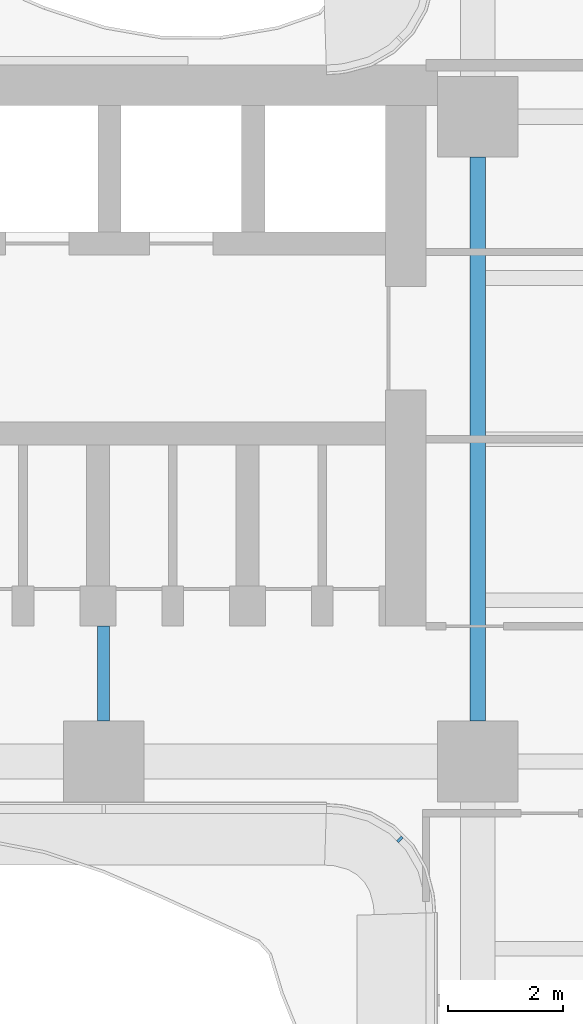
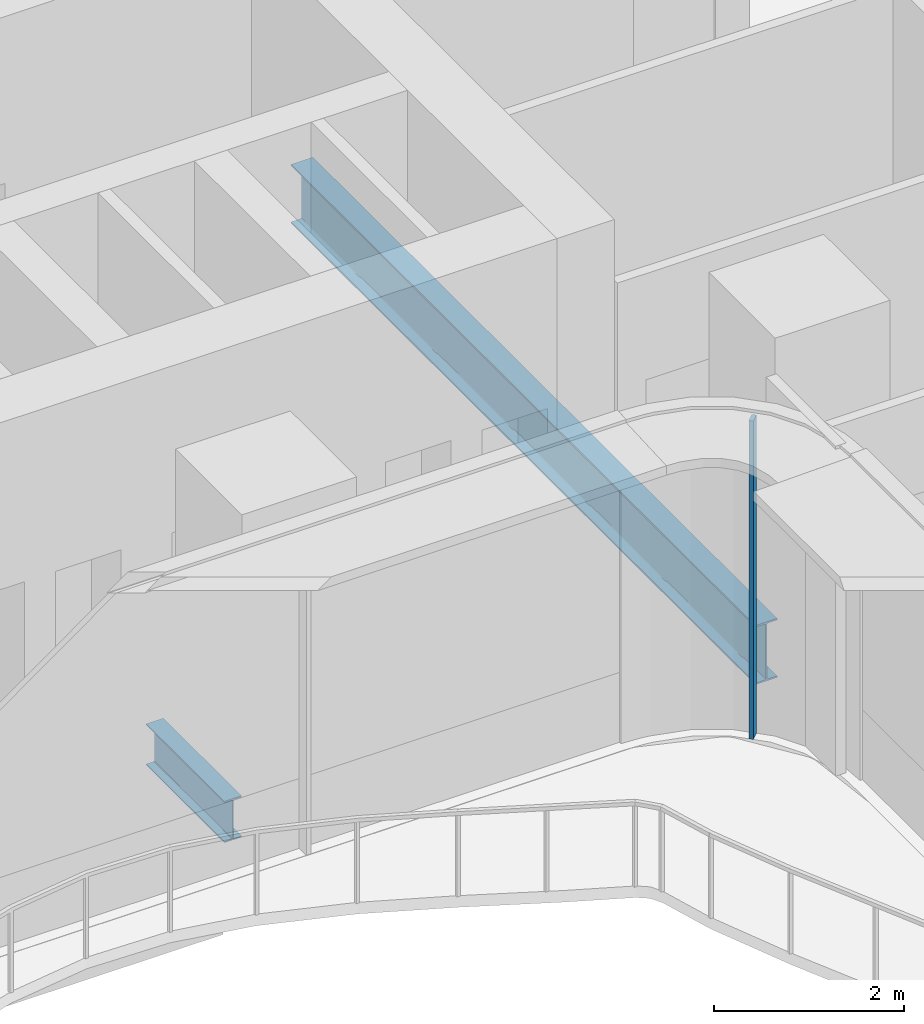
# One storey, part 4 of 22: 2 beams, 1 member, 1 element without a shape of its own.
"""IFC4 building model written with IfcOpenShell, lengths in metres."""

from ifc_helpers import new_model, si_unit, direction, frame, origin, origin_2d, place, context, subcontext, project, spatial, rectangle, i_section, extrude, source, transform, mapped, material, layer, layer_set, material_profile, profile_set, type_object, element, aggregate, save


model = new_model("IFC4")

# Units and contexts
model_context = context("Model", 3, precision=1e-05, world=origin(), true_north=direction((0.0, 1.0)))
body_context = subcontext(model_context, "Body", "Model", "MODEL_VIEW")
ifc_project = project(units=[si_unit("LENGTHUNIT", "METRE"), si_unit("AREAUNIT", "SQUARE_METRE"), si_unit("VOLUMEUNIT", "CUBIC_METRE"), si_unit("PLANEANGLEUNIT", "RADIAN"), si_unit("MASSUNIT", "GRAM", prefix="KILO")], contexts=[model_context])

# Site, building, storey
site_placement = place(None, origin())
site = spatial("IfcSite", under=ifc_project, at=site_placement, CompositionType="ELEMENT")
building_placement = place(site_placement, origin())
building = spatial("IfcBuilding", under=site, at=building_placement, Name="Trellis Farm Tower", CompositionType="ELEMENT")
storey_placement = place(building_placement, frame((0.0, 0.0, 47.5)))
storey = spatial("IfcBuildingStorey", under=building, at=storey_placement, Name="L09", CompositionType="ELEMENT", Elevation=47.5)

# Beams
ifc_material_1 = material(Name="Steel S355", Category="steel")
ifc_material_profile_1 = material_profile(ifc_material_1, i_section(OverallWidth=0.2666015625, OverallDepth=0.76220703125, WebThickness=0.014404296875, FlangeThickness=0.021484375, FilletRadius=0.0166015625, at=origin_2d()), Name="UB 762x267x173")
ifc_profile_set_1 = profile_set([ifc_material_profile_1], Name="Steel S355")
beam_type_1 = type_object("IfcBeamType", Name="UB 762x267x173", PredefinedType="BEAM", material=ifc_profile_set_1)
shared_shape_1 = source(origin(), body_context, "Body", "SweptSolid", [
    extrude(i_section(OverallWidth=0.2666015625, OverallDepth=0.76220703125, WebThickness=0.014404296875, FlangeThickness=0.021484375, FilletRadius=0.0166015625, at=origin_2d()), origin(), (0.0, 0.0, 1.0), 9.7998046875),
])
beam_1_placement = place(storey_placement, frame((-5.60009765625, -4.89990234375, -0.631103515625), z_axis=(0.0, 1.0, 0.0), x_axis=(-1.0, 0.0, 0.0)))
element("IfcBeam", 1, at=beam_1_placement, inside=storey, type_object=beam_type_1, Name="Girder", PredefinedType="BEAM", context=body_context, shape_type="MappedRepresentation", body=[
    mapped(shared_shape_1, transform((0.0, 0.0, 0.0))),
])
ifc_material_profile_2 = material_profile(ifc_material_1, i_section(OverallWidth=0.209228515625, OverallDepth=0.533203125, WebThickness=0.010009765625, FlangeThickness=0.015625, FilletRadius=0.0126953125, at=origin_2d()), Name="UB 533x210x92")
ifc_profile_set_2 = profile_set([ifc_material_profile_2], Name="Steel S355")
beam_type_2 = type_object("IfcBeamType", Name="UB 533x210x92", PredefinedType="BEAM", material=ifc_profile_set_2)
shared_shape_2 = source(origin(), body_context, "Body", "SweptSolid", [
    extrude(i_section(OverallWidth=0.209228515625, OverallDepth=0.533203125, WebThickness=0.010009765625, FlangeThickness=0.015625, FilletRadius=0.0126953125, at=origin_2d()), origin(), (0.0, 0.0, 1.0), 1.64990234375),
])
beam_2_placement = place(storey_placement, frame((-12.10009765625, -4.89990234375, -0.5166015625), z_axis=(0.0, 1.0, 0.0), x_axis=(-1.0, 0.0, 0.0)))
element("IfcBeam", 2, at=beam_2_placement, inside=storey, type_object=beam_type_2, Name="Girder", PredefinedType="BEAM", context=body_context, shape_type="MappedRepresentation", body=[
    mapped(shared_shape_2, transform((0.0, 0.0, 0.0))),
])

# Curtain wall, member
ifc_material_2 = material(Name="Aluminium and glass curtain wall", Category="aluminium")
ifc_layer = layer(ifc_material_2, 0.166015625)
ifc_layer_set = layer_set([ifc_layer], Name="WINTER GARDEN CURTAIN WALL CW3")
curtain_wall_type = type_object("IfcCurtainWallType", Name="WINTER GARDEN CURTAIN WALL CW3", PredefinedType="NOTDEFINED", material=ifc_layer_set)
curtain_wall_placement = place(storey_placement, origin())
curtain_wall = element("IfcCurtainWall", 3, at=curtain_wall_placement, inside=storey, type_object=curtain_wall_type, Name="CW3 001", PredefinedType="NOTDEFINED")
ifc_material_3 = material(Name="Aluminium extrusion 6063-T6", Category="aluminium")
ifc_material_profile_3 = material_profile(ifc_material_3, rectangle(XDim=0.050048828125, YDim=0.1201171875, at=origin_2d()), Name="MULLION 50x120")
ifc_profile_set_3 = profile_set([ifc_material_profile_3], Name="Aluminium extrusion 6063-T6")
member_type = type_object("IfcMemberType", Name="CW3 MULLION 50x120", PredefinedType="MULLION", material=ifc_profile_set_3)
shared_shape_3 = source(origin(), body_context, "Body", "SweptSolid", [
    extrude(rectangle(XDim=0.050048828125, YDim=0.1201171875, at=origin_2d()), origin(), (0.0, 0.0, 1.0), 4.10009765625),
])
member_placement = place(storey_placement, frame((-6.953125, -6.953125, 0.0), z_axis=(0.0, 0.0, 1.0), x_axis=(0.707106781187, -0.707106781187, 0.0)))
member = element("IfcMember", 4, at=member_placement, type_object=member_type, Name="MU3 001-01", PredefinedType="MULLION", context=body_context, shape_type="MappedRepresentation", body=[
    mapped(shared_shape_3, transform((0.0, 0.0, 0.0))),
])
aggregate(curtain_wall, [member])

save(model, "model.ifc")
